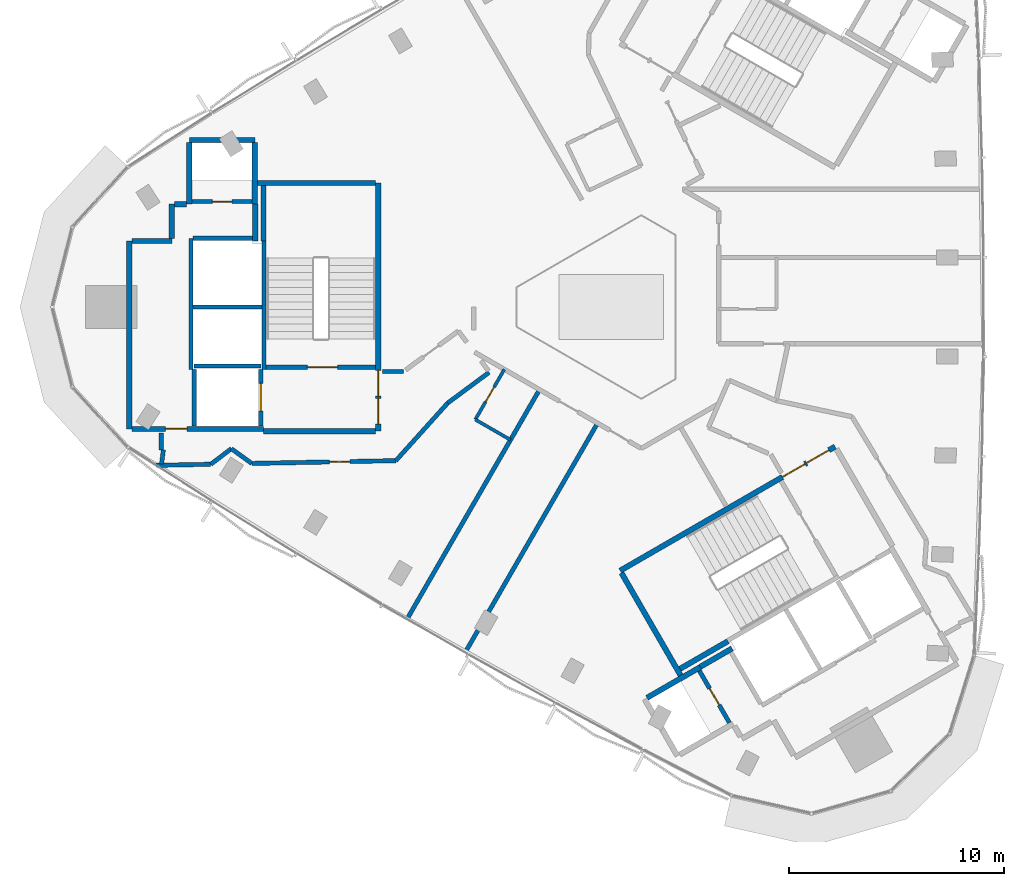
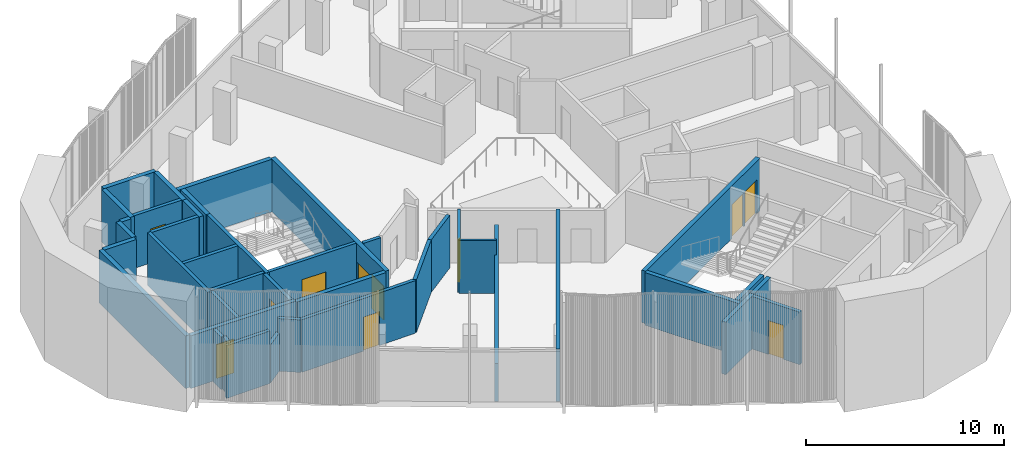
# One storey, part 6 of 12: 41 walls, 11 doors, 11 openings.
"""IFC4 building model written with IfcOpenShell, lengths in metres."""

import ifcopenshell
import ifcopenshell.guid

model = None  # the IFC model being written
_history = None  # IfcOwnerHistory: only IFC2X3 demands one
_inside = {}  # id of a spatial element -> (the spatial element, [elements in it])
_under = {}  # id of a project, library or spatial element -> (it, [spatial elements below it])
_declared = {}  # id of a project -> (the project, [libraries it declares])
_typed = {}  # id of a type object -> (the type object, [elements of that type])
_made_of = {}  # id of a material, layer set ... -> (it, [elements and type objects made of it])


def new_model(schema):
    """Start an empty IFC model of exactly this schema.

    Asked for "IFC4X3", IfcOpenShell would pick the latest addendum, in which some entities
    have other attributes; the version numbers below select the first issue.
    IFC2X3 requires an IfcOwnerHistory on every rooted entity: one is made here for all.
    """
    global model, _history
    if schema == "IFC4X3":
        model = ifcopenshell.file(schema_version=(4, 3, 0, 0))
    else:
        model = ifcopenshell.file(schema=schema)
    _inside.clear()
    _under.clear()
    _declared.clear()
    _typed.clear()
    _made_of.clear()
    _history = None
    if model.schema == "IFC2X3":
        org = make("IfcOrganization", Name="unknown")
        user = make(
            "IfcPersonAndOrganization",
            ThePerson=make("IfcPerson", FamilyName="unknown"),
            TheOrganization=org,
        )
        app = make(
            "IfcApplication",
            ApplicationDeveloper=org,
            Version="unknown",
            ApplicationFullName="unknown",
            ApplicationIdentifier="unknown",
        )
        _history = make(
            "IfcOwnerHistory",
            OwningUser=user,
            OwningApplication=app,
            ChangeAction="ADDED",
            CreationDate=0,
        )
    return model


def make(cls, **values):
    """One entity of the class cls with the attributes given. An attribute that is None is left unset."""
    return model.create_entity(
        cls, **{name: value for name, value in values.items() if value is not None}
    )


def rooted(cls, **values):
    """An entity with a GlobalId (a new one), such as an element, a storey or a relation."""
    return make(cls, GlobalId=ifcopenshell.guid.new(), OwnerHistory=_history, **values)


def si_unit(unit_type, name, prefix=None):
    """IfcSIUnit, for example si_unit("LENGTHUNIT", "METRE", prefix="MILLI")."""
    return make("IfcSIUnit", UnitType=unit_type, Prefix=prefix, Name=name)


def assignment(units):
    """IfcUnitAssignment: the units of a project."""
    return None if units is None else make("IfcUnitAssignment", Units=units)


def point(xyz):
    """IfcCartesianPoint."""
    return None if xyz is None else make("IfcCartesianPoint", Coordinates=xyz)


def direction(xyz):
    """IfcDirection."""
    return None if xyz is None else make("IfcDirection", DirectionRatios=xyz)


def frame(location, z_axis=None, x_axis=None):
    """IfcAxis2Placement3D, a coordinate frame: its origin and axes. An axis left out is left unset."""
    return make(
        "IfcAxis2Placement3D",
        Location=point(location),
        Axis=direction(z_axis),
        RefDirection=direction(x_axis),
    )


def frame_2d(location, x_axis=None):
    """IfcAxis2Placement2D, a coordinate frame in the plane: its origin and x axis."""
    return make(
        "IfcAxis2Placement2D", Location=point(location), RefDirection=direction(x_axis)
    )


def origin():
    """The frame at (0, 0, 0) with its axes left unset."""
    return frame((0.0, 0.0, 0.0))


def place(relative_to, where):
    """IfcLocalPlacement: puts the frame where relative to a parent placement (None: the world)."""
    return make(
        "IfcLocalPlacement", PlacementRelTo=relative_to, RelativePlacement=where
    )


def context(
    kind, dimensions, precision=None, world=None, true_north=None, identifier=None
):
    """IfcGeometricRepresentationContext, for example the 3D "Model" context."""
    return make(
        "IfcGeometricRepresentationContext",
        ContextIdentifier=identifier,
        ContextType=kind,
        CoordinateSpaceDimension=dimensions,
        Precision=precision,
        WorldCoordinateSystem=world,
        TrueNorth=true_north,
    )


def subcontext(parent, identifier, kind, view, scale=None):
    """IfcGeometricRepresentationSubContext, for example "Body" below "Model"."""
    return make(
        "IfcGeometricRepresentationSubContext",
        ContextIdentifier=identifier,
        ContextType=kind,
        ParentContext=parent,
        TargetScale=scale,
        TargetView=view,
    )


def project(units=None, contexts=None):
    """IfcProject with its units and contexts."""
    return rooted(
        "IfcProject",
        Name="project",
        RepresentationContexts=contexts,
        UnitsInContext=assignment(units),
    )


def spatial(cls, under=None, at=None, **own):
    """A site, building, storey or space (cls), placed at a placement, below another one or the project."""
    s = rooted(cls, ObjectPlacement=at, **own)
    if under is not None:
        _under.setdefault(under.id(), (under, []))[1].append(s)
    return s


def profile(cls, at=None, kind="AREA", **sizes):
    """A parametric profile (cls). Its sizes go by their IFC names, for example OverallWidth=200.0."""
    return make(cls, ProfileType=kind, Position=at, **sizes)


def rectangle(**sizes):
    """IfcRectangleProfileDef."""
    return profile("IfcRectangleProfileDef", **sizes)


def extrude(swept, where, along, depth):
    """IfcExtrudedAreaSolid: the profile swept, set in the frame where, extruded along a direction by depth."""
    return make(
        "IfcExtrudedAreaSolid",
        SweptArea=swept,
        Position=where,
        ExtrudedDirection=direction(along),
        Depth=depth,
    )


def shape(context_of_items, identifier, shape_type, items):
    """IfcShapeRepresentation: the items that make up one representation, for example the "Body"."""
    return make(
        "IfcShapeRepresentation",
        ContextOfItems=context_of_items,
        RepresentationIdentifier=identifier,
        RepresentationType=shape_type,
        Items=items,
    )


def material(Name=None, Category=None):
    """IfcMaterial."""
    return make("IfcMaterial", Name=Name, Category=Category)


def layer(
    of_material, thickness, ventilated=None, Name=None, Category=None, Priority=None
):
    """IfcMaterialLayer: one layer of a wall or slab, of a material (None: an air gap)."""
    return make(
        "IfcMaterialLayer",
        Material=of_material,
        LayerThickness=thickness,
        IsVentilated=ventilated,
        Name=Name,
        Category=Category,
        Priority=Priority,
    )


def layer_set(layers, Name=None):
    """IfcMaterialLayerSet."""
    return make("IfcMaterialLayerSet", MaterialLayers=layers, LayerSetName=Name)


def made_of(thing, what):
    """Note that an element or type object is made of a material, layer set ...; save() writes the relation."""
    if what is not None:
        _made_of.setdefault(what.id(), (what, []))[1].append(thing)
    return thing


def type_object(cls, material=None, **own):
    """A type object (cls), such as IfcWallType, which elements share."""
    return made_of(rooted(cls, **own), material)


def element(
    cls,
    number,
    at=None,
    inside=None,
    cuts=None,
    type_object=None,
    material=None,
    context=None,
    identifier="Body",
    shape_type=None,
    held_by="IfcProductDefinitionShape",
    body=None,
    shapes=None,
    **own,
):
    """One element of the class cls, such as IfcWall. Its Tag is "e" and its number.

    at: its placement. inside: the storey or other place that contains it. cuts: it is an
    opening in that element (IfcRelVoidsElement). A single representation is given by context,
    identifier, shape_type and body (its items); several are given by shapes. held_by: the class
    of the entity that holds the representations. save() writes the other relations.
    """
    e = rooted(cls, Tag="e%d" % number, ObjectPlacement=at, **own)
    if body is not None:
        shapes = [shape(context, identifier, shape_type, body)]
    if shapes is not None:
        e.Representation = make(held_by, Representations=shapes)
    if inside is not None:
        _inside.setdefault(inside.id(), (inside, []))[1].append(e)
    if cuts is not None:
        rooted(
            "IfcRelVoidsElement", RelatingBuildingElement=cuts, RelatedOpeningElement=e
        )
    if type_object is not None:
        _typed.setdefault(type_object.id(), (type_object, []))[1].append(e)
    return made_of(e, material)


def fill(opening, filler):
    """IfcRelFillsElement: the door or window that sits in an opening."""
    return rooted(
        "IfcRelFillsElement",
        RelatingOpeningElement=opening,
        RelatedBuildingElement=filler,
    )


def aggregate(whole, parts):
    """IfcRelAggregates: a whole, such as a stair, and the parts it consists of."""
    return rooted("IfcRelAggregates", RelatingObject=whole, RelatedObjects=parts)


def save(model, path):
    """Write the relations noted so far, then the file.

    IfcRelAggregates (storeys below a building ...), IfcRelContainedInSpatialStructure (elements
    in a storey), IfcRelDefinesByType, IfcRelAssociatesMaterial and IfcRelDeclares: one each for
    every whole, place, type object, material and project.
    """
    for whole, parts in _under.values():
        aggregate(whole, parts)
    for where, things in _inside.values():
        rooted(
            "IfcRelContainedInSpatialStructure",
            RelatedElements=things,
            RelatingStructure=where,
        )
    for kind, things in _typed.values():
        rooted("IfcRelDefinesByType", RelatedObjects=things, RelatingType=kind)
    for what, things in _made_of.values():
        rooted("IfcRelAssociatesMaterial", RelatedObjects=things, RelatingMaterial=what)
    for by, libraries in _declared.values():
        rooted("IfcRelDeclares", RelatingContext=by, RelatedDefinitions=libraries)
    model.write(path)


model = new_model("IFC4")

# Units and contexts
model_context = context("Model", 3, precision=1e-05, world=origin(), true_north=direction((0.0, 1.0)))
body_context = subcontext(model_context, "Body", "Model", "MODEL_VIEW")
ifc_project = project(units=[si_unit("LENGTHUNIT", "METRE"), si_unit("AREAUNIT", "SQUARE_METRE"), si_unit("VOLUMEUNIT", "CUBIC_METRE"), si_unit("PLANEANGLEUNIT", "RADIAN"), si_unit("MASSUNIT", "GRAM", prefix="KILO")], contexts=[model_context])

# Site, building, storey
site_placement = place(None, origin())
site = spatial("IfcSite", under=ifc_project, at=site_placement, CompositionType="ELEMENT")
building_placement = place(site_placement, origin())
building = spatial("IfcBuilding", under=site, at=building_placement, Name="Tamra Quay Hotel Tower", CompositionType="ELEMENT")
storey_placement = place(building_placement, frame((0.0, 0.0, 262.199951171875)))
storey = spatial("IfcBuildingStorey", under=building, at=storey_placement, Name="L66", CompositionType="ELEMENT", Elevation=262.199951171875)

# Walls
ifc_material_1 = material(Name="Concrete M70", Category="concrete")
ifc_layer_1 = layer(ifc_material_1, 0.199951171875)
ifc_layer_set_1 = layer_set([ifc_layer_1], Name="Concrete M70 core wall 200")
wall_type_1 = type_object("IfcWallType", Name="Concrete M70 core wall 200", PredefinedType="SHEAR", material=ifc_layer_set_1)
wall_1_placement = place(storey_placement, frame((-16.162109375, 3.073974609375, 0.0), z_axis=(0.0, 0.0, 1.0), x_axis=(0.0, -1.0, 0.0)))
element("IfcWall", 1, at=wall_1_placement, inside=storey, type_object=wall_type_1, Name="CW2", PredefinedType="SHEAR", context=body_context, shape_type="SweptSolid", body=[
    extrude(rectangle(XDim=5.97412109375, YDim=0.199951171875, at=frame_2d((2.987060546875, 0.0))), origin(), (0.0, 0.0, 1.0), 3.25),
])
wall_2_placement = place(storey_placement, frame((-19.5625, -2.900146484375, 0.0), z_axis=(0.0, 0.0, 1.0), x_axis=(0.0, 1.0, 0.0)))
element("IfcWall", 2, at=wall_2_placement, inside=storey, type_object=wall_type_1, Name="CW2", PredefinedType="SHEAR", context=body_context, shape_type="SweptSolid", body=[
    extrude(rectangle(XDim=6.100341796875, YDim=0.199951171875, at=frame_2d((3.05029296875, 0.0))), origin(), (0.0, 0.0, 1.0), 3.25),
])

# Wall, opening, door
wall_3_placement = place(storey_placement, frame((-10.96337890625, -2.800048828125, 0.0), z_axis=(0.0, 0.0, 1.0), x_axis=(-1.0, 0.0, 0.0)))
wall_3 = element("IfcWall", 3, at=wall_3_placement, inside=storey, type_object=wall_type_1, Name="CW2", PredefinedType="SHEAR", context=body_context, shape_type="SweptSolid", body=[
    extrude(rectangle(XDim=5.097900390625, YDim=0.199951171875, at=frame_2d((2.548828125, 0.0))), origin(), (0.0, 0.0, 1.0), 3.25),
])
opening_1_placement = place(wall_3_placement, frame((1.77392578125, 0.0, 0.0)))
opening_1 = element("IfcOpeningElement", 4, at=opening_1_placement, cuts=wall_3, Name="Opening FD2", PredefinedType="OPENING", context=body_context, shape_type="SweptSolid", body=[
    extrude(rectangle(XDim=1.39990234375, YDim=2.10009765625, at=frame_2d((0.699951171875, 1.050048828125))), frame((0.0, 0.10986328125, 0.0), z_axis=(0.0, -1.0, 0.0), x_axis=(1.0, 0.0, 0.0)), (0.0, 0.0, 1.0), 0.219970703125),
])
ifc_material_2 = material(Name="Core door FD2 1400x2100 LH")
door_type_1 = type_object("IfcDoorType", Name="Core door FD2 1400x2100 LH", OperationType="NOTDEFINED", PredefinedType="DOOR", material=ifc_material_2)
door_1_placement = place(opening_1_placement, origin())
door_1 = element("IfcDoor", 5, at=door_1_placement, inside=storey, type_object=door_type_1, Name="FD2", OperationType="SINGLE_SWING_LEFT", OverallHeight=2.10009765625, OverallWidth=1.39990234375, PredefinedType="DOOR", context=body_context, shape_type="SweptSolid", body=[
    extrude(rectangle(XDim=1.39990234375, YDim=2.10009765625, at=frame_2d((0.699951171875, 1.050048828125))), frame((0.0, 0.02490234375, 0.0), z_axis=(0.0, -1.0, 0.0), x_axis=(1.0, 0.0, 0.0)), (0.0, 0.0, 1.0), 0.050048828125),
])
fill(opening_1, door_1)

# Wall
wall_4_placement = place(storey_placement, frame((-16.26318359375, 0.0, 0.0), z_axis=(0.0, 0.0, 1.0), x_axis=(-1.0, 0.0, 0.0)))
element("IfcWall", 6, at=wall_4_placement, inside=storey, type_object=wall_type_1, Name="CW2", PredefinedType="SHEAR", context=body_context, shape_type="SweptSolid", body=[
    extrude(rectangle(XDim=3.1982421875, YDim=0.199951171875, at=frame_2d((1.59912109375, 0.0))), origin(), (0.0, 0.0, 1.0), 3.25),
])

# Wall, opening, door
wall_5_placement = place(storey_placement, frame((-19.51123046875, 4.91015625, 0.0), z_axis=(0.0, 0.0, 1.0), x_axis=(1.0, 0.0, 0.0)))
wall_5 = element("IfcWall", 7, at=wall_5_placement, inside=storey, type_object=wall_type_1, Name="CW2", PredefinedType="SHEAR", context=body_context, shape_type="SweptSolid", body=[
    extrude(rectangle(XDim=2.7978515625, YDim=0.199951171875, at=frame_2d((1.39892578125, 0.0))), origin(), (0.0, 0.0, 1.0), 3.25),
])
opening_2_placement = place(wall_5_placement, frame((0.948974609375, 0.0, 0.0)))
opening_2 = element("IfcOpeningElement", 8, at=opening_2_placement, cuts=wall_5, Name="Opening D1", PredefinedType="OPENING", context=body_context, shape_type="SweptSolid", body=[
    extrude(rectangle(XDim=0.89990234375, YDim=2.10009765625, at=frame_2d((0.449951171875, 1.050048828125))), frame((0.0, 0.10986328125, 0.0), z_axis=(0.0, -1.0, 0.0), x_axis=(1.0, 0.0, 0.0)), (0.0, 0.0, 1.0), 0.219970703125),
])
ifc_material_3 = material(Name="Core door D1 900x2100 RH")
door_type_2 = type_object("IfcDoorType", Name="Core door D1 900x2100 RH", OperationType="NOTDEFINED", PredefinedType="DOOR", material=ifc_material_3)
door_2_placement = place(opening_2_placement, origin())
door_2 = element("IfcDoor", 9, at=door_2_placement, inside=storey, type_object=door_type_2, Name="D1", OperationType="SINGLE_SWING_RIGHT", OverallHeight=2.10009765625, OverallWidth=0.89990234375, PredefinedType="DOOR", context=body_context, shape_type="SweptSolid", body=[
    extrude(rectangle(XDim=0.89990234375, YDim=2.10009765625, at=frame_2d((0.449951171875, 1.050048828125))), frame((0.0, 0.02490234375, 0.0), z_axis=(0.0, -1.0, 0.0), x_axis=(1.0, 0.0, 0.0)), (0.0, 0.0, 1.0), 0.050048828125),
])
fill(opening_2, door_2)

# Walls
wall_6_placement = place(storey_placement, frame((-19.46240234375, 3.2001953125, 0.0), z_axis=(0.0, 0.0, 1.0), x_axis=(1.0, 0.0, 0.0)))
element("IfcWall", 10, at=wall_6_placement, inside=storey, type_object=wall_type_1, Name="CW2", PredefinedType="SHEAR", context=body_context, shape_type="SweptSolid", body=[
    extrude(rectangle(XDim=2.759033203125, YDim=0.199951171875, at=frame_2d((1.37939453125, 0.0))), origin(), (0.0, 0.0, 1.0), 3.25),
])
wall_7_placement = place(storey_placement, frame((-19.412353515625, -2.75, 0.0), z_axis=(0.0, 0.0, 1.0), x_axis=(1.0, 0.0, 0.0)))
element("IfcWall", 11, at=wall_7_placement, inside=storey, type_object=wall_type_1, Name="CW2", PredefinedType="SHEAR", context=body_context, shape_type="SweptSolid", body=[
    extrude(rectangle(XDim=3.10009765625, YDim=0.199951171875, at=frame_2d((1.550048828125, 0.0))), origin(), (0.0, 0.0, 1.0), 3.25),
])

# Wall, opening, door
wall_8_placement = place(storey_placement, frame((-16.312255859375, -2.898193359375, 0.0), z_axis=(0.0, 0.0, 1.0), x_axis=(0.0, -1.0, 0.0)))
wall_8 = element("IfcWall", 12, at=wall_8_placement, inside=storey, type_object=wall_type_1, Name="CW2", PredefinedType="SHEAR", context=body_context, shape_type="SweptSolid", body=[
    extrude(rectangle(XDim=2.65087890625, YDim=0.199951171875, at=frame_2d((1.325439453125, 0.0))), origin(), (0.0, 0.0, 1.0), 3.25),
])
opening_3_placement = place(wall_8_placement, frame((0.65185546875, 0.0, 0.0)))
opening_3 = element("IfcOpeningElement", 13, at=opening_3_placement, cuts=wall_8, Name="Opening LD", PredefinedType="OPENING", context=body_context, shape_type="SweptSolid", body=[
    extrude(rectangle(XDim=1.300048828125, YDim=2.10009765625, at=frame_2d((0.64990234375, 1.050048828125))), frame((0.0, 0.10986328125, 0.0), z_axis=(0.0, -1.0, 0.0), x_axis=(1.0, 0.0, 0.0)), (0.0, 0.0, 1.0), 0.219970703125),
])
ifc_material_4 = material(Name="Landing door LD 1300 sliding to left")
door_type_3 = type_object("IfcDoorType", Name="Landing door LD 1300 sliding to left", OperationType="NOTDEFINED", PredefinedType="DOOR", material=ifc_material_4)
door_3_placement = place(opening_3_placement, origin())
door_3 = element("IfcDoor", 14, at=door_3_placement, inside=storey, type_object=door_type_3, Name="LD", OperationType="SLIDING_TO_LEFT", OverallHeight=2.10009765625, OverallWidth=1.300048828125, PredefinedType="DOOR", context=body_context, shape_type="SweptSolid", body=[
    extrude(rectangle(XDim=1.300048828125, YDim=2.10009765625, at=frame_2d((0.64990234375, 1.050048828125))), frame((0.0, 0.02490234375, 0.0), z_axis=(0.0, -1.0, 0.0), x_axis=(1.0, 0.0, 0.0)), (0.0, 0.0, 1.0), 0.050048828125),
])
fill(opening_3, door_3)

# Wall
wall_9_placement = place(storey_placement, frame((-19.412353515625, -5.549072265625, 0.0), z_axis=(0.0, 0.0, 1.0), x_axis=(0.0, 1.0, 0.0)))
element("IfcWall", 15, at=wall_9_placement, inside=storey, type_object=wall_type_1, Name="CW2", PredefinedType="SHEAR", context=body_context, shape_type="SweptSolid", body=[
    extrude(rectangle(XDim=2.65087890625, YDim=0.199951171875, at=frame_2d((1.325439453125, 0.0))), origin(), (0.0, 0.0, 1.0), 3.25),
])

# Wall, opening, door
wall_10_placement = place(storey_placement, frame((5.50341796875, -19.352294921875, 0.0), z_axis=(0.0, 0.0, 1.0), x_axis=(-0.499986818241, 0.866033014143, 0.0)))
wall_10 = element("IfcWall", 16, at=wall_10_placement, inside=storey, type_object=wall_type_1, Name="CW2", PredefinedType="SHEAR", context=body_context, shape_type="SweptSolid", body=[
    extrude(rectangle(XDim=2.7978515625, YDim=0.199951171875, at=frame_2d((1.39892578125, 0.0))), origin(), (0.0, 0.0, 1.0), 3.25),
])
opening_4_placement = place(wall_10_placement, frame((0.948974609375, 0.0, 0.0)))
opening_4 = element("IfcOpeningElement", 17, at=opening_4_placement, cuts=wall_10, Name="Opening D1", PredefinedType="OPENING", context=body_context, shape_type="SweptSolid", body=[
    extrude(rectangle(XDim=0.89990234375, YDim=2.10009765625, at=frame_2d((0.449951171875, 1.050048828125))), frame((0.0, 0.10986328125, 0.0), z_axis=(0.0, -1.0, 0.0), x_axis=(1.0, 0.0, 0.0)), (0.0, 0.0, 1.0), 0.219970703125),
])
ifc_material_5 = material(Name="Core door D1 900x2100 LH")
door_type_4 = type_object("IfcDoorType", Name="Core door D1 900x2100 LH", OperationType="NOTDEFINED", PredefinedType="DOOR", material=ifc_material_5)
door_4_placement = place(opening_4_placement, origin())
door_4 = element("IfcDoor", 18, at=door_4_placement, inside=storey, type_object=door_type_4, Name="D1", OperationType="SINGLE_SWING_LEFT", OverallHeight=2.10009765625, OverallWidth=0.89990234375, PredefinedType="DOOR", context=body_context, shape_type="SweptSolid", body=[
    extrude(rectangle(XDim=0.89990234375, YDim=2.10009765625, at=frame_2d((0.449951171875, 1.050048828125))), frame((0.0, 0.02490234375, 0.0), z_axis=(0.0, -1.0, 0.0), x_axis=(1.0, 0.0, 0.0)), (0.0, 0.0, 1.0), 0.050048828125),
])
fill(opening_4, door_4)

# Wall, openings, doors
ifc_layer_2 = layer(ifc_material_1, 0.25)
ifc_layer_set_2 = layer_set([ifc_layer_2], Name="Concrete M70 core wall 250")
wall_type_2 = type_object("IfcWallType", Name="Concrete M70 core wall 250", PredefinedType="SHEAR", material=ifc_layer_set_2)
wall_11_placement = place(storey_placement, frame((-10.83740234375, 5.77490234375, 0.0), z_axis=(0.0, 0.0, 1.0), x_axis=(0.0, -1.0, 0.0)))
wall_11 = element("IfcWall", 19, at=wall_11_placement, inside=storey, type_object=wall_type_2, Name="CW1", PredefinedType="SHEAR", context=body_context, shape_type="SweptSolid", body=[
    extrude(rectangle(XDim=11.5498046875, YDim=0.25, at=frame_2d((5.77490234375, 0.0))), origin(), (0.0, 0.0, 1.0), 3.25),
])
opening_5_placement = place(wall_11_placement, frame((10.02490234375, 0.0, 0.0)))
opening_5 = element("IfcOpeningElement", 20, at=opening_5_placement, cuts=wall_11, Name="Opening FD1", PredefinedType="OPENING", context=body_context, shape_type="SweptSolid", body=[
    extrude(rectangle(XDim=1.199951171875, YDim=2.10009765625, at=frame_2d((0.60009765625, 1.050048828125))), frame((0.0, 0.135009765625, 0.0), z_axis=(0.0, -1.0, 0.0), x_axis=(1.0, 0.0, 0.0)), (0.0, 0.0, 1.0), 0.27001953125),
])
opening_6_placement = place(wall_11_placement, frame((8.72509765625, 0.0, 0.0)))
opening_6 = element("IfcOpeningElement", 21, at=opening_6_placement, cuts=wall_11, Name="Opening FD1", PredefinedType="OPENING", context=body_context, shape_type="SweptSolid", body=[
    extrude(rectangle(XDim=1.199951171875, YDim=2.10009765625, at=frame_2d((0.60009765625, 1.050048828125))), frame((0.0, 0.135009765625, 0.0), z_axis=(0.0, -1.0, 0.0), x_axis=(1.0, 0.0, 0.0)), (0.0, 0.0, 1.0), 0.27001953125),
])
ifc_material_6 = material(Name="Core door FD1 1200x2100 LH")
door_type_5 = type_object("IfcDoorType", Name="Core door FD1 1200x2100 LH", OperationType="NOTDEFINED", PredefinedType="DOOR", material=ifc_material_6)
door_5_placement = place(opening_5_placement, origin())
door_5 = element("IfcDoor", 22, at=door_5_placement, inside=storey, type_object=door_type_5, Name="FD1", OperationType="SINGLE_SWING_LEFT", OverallHeight=2.10009765625, OverallWidth=1.199951171875, PredefinedType="DOOR", context=body_context, shape_type="SweptSolid", body=[
    extrude(rectangle(XDim=1.199951171875, YDim=2.10009765625, at=frame_2d((0.60009765625, 1.050048828125))), frame((0.0, 0.02490234375, 0.0), z_axis=(0.0, -1.0, 0.0), x_axis=(1.0, 0.0, 0.0)), (0.0, 0.0, 1.0), 0.050048828125),
])
fill(opening_5, door_5)
ifc_material_7 = material(Name="Core door FD1 1200x2100 RH")
door_type_6 = type_object("IfcDoorType", Name="Core door FD1 1200x2100 RH", OperationType="NOTDEFINED", PredefinedType="DOOR", material=ifc_material_7)
door_6_placement = place(opening_6_placement, origin())
door_6 = element("IfcDoor", 23, at=door_6_placement, inside=storey, type_object=door_type_6, Name="FD1", OperationType="SINGLE_SWING_RIGHT", OverallHeight=2.10009765625, OverallWidth=1.199951171875, PredefinedType="DOOR", context=body_context, shape_type="SweptSolid", body=[
    extrude(rectangle(XDim=1.199951171875, YDim=2.10009765625, at=frame_2d((0.60009765625, 1.050048828125))), frame((0.0, 0.02490234375, 0.0), z_axis=(0.0, -1.0, 0.0), x_axis=(1.0, 0.0, 0.0)), (0.0, 0.0, 1.0), 0.050048828125),
])
fill(opening_6, door_6)

# Wall
wall_12_placement = place(storey_placement, frame((-22.437255859375, -5.675048828125, 0.0), z_axis=(0.0, 0.0, 1.0), x_axis=(0.0, 1.0, 0.0)))
element("IfcWall", 24, at=wall_12_placement, inside=storey, type_object=wall_type_2, Name="CW1", PredefinedType="SHEAR", context=body_context, shape_type="SweptSolid", body=[
    extrude(rectangle(XDim=8.75, YDim=0.25, at=frame_2d((4.375, 0.0))), origin(), (0.0, 0.0, 1.0), 3.25),
])

# Wall, opening, door
wall_13_placement = place(storey_placement, frame((-16.187255859375, -5.675048828125, 0.0), z_axis=(0.0, 0.0, 1.0), x_axis=(-1.0, 0.0, 0.0)))
wall_13 = element("IfcWall", 25, at=wall_13_placement, inside=storey, type_object=wall_type_2, Name="CW1", PredefinedType="SHEAR", context=body_context, shape_type="SweptSolid", body=[
    extrude(rectangle(XDim=6.12451171875, YDim=0.25, at=frame_2d((3.062255859375, 0.0))), origin(), (0.0, 0.0, 1.0), 3.25),
])
opening_7_placement = place(wall_13_placement, frame((3.562744140625, 0.0, 0.0)))
opening_7 = element("IfcOpeningElement", 26, at=opening_7_placement, cuts=wall_13, Name="Opening FD3", PredefinedType="OPENING", context=body_context, shape_type="SweptSolid", body=[
    extrude(rectangle(XDim=1.0, YDim=2.10009765625, at=frame_2d((0.5, 1.050048828125))), frame((0.0, 0.135009765625, 0.0), z_axis=(0.0, -1.0, 0.0), x_axis=(1.0, 0.0, 0.0)), (0.0, 0.0, 1.0), 0.27001953125),
])
ifc_material_8 = material(Name="Core door FD3 1000x2100 LH")
door_type_7 = type_object("IfcDoorType", Name="Core door FD3 1000x2100 LH", OperationType="NOTDEFINED", PredefinedType="DOOR", material=ifc_material_8)
door_7_placement = place(opening_7_placement, origin())
door_7 = element("IfcDoor", 27, at=door_7_placement, inside=storey, type_object=door_type_7, Name="FD3", OperationType="SINGLE_SWING_LEFT", OverallHeight=2.10009765625, OverallWidth=1.0, PredefinedType="DOOR", context=body_context, shape_type="SweptSolid", body=[
    extrude(rectangle(XDim=1.0, YDim=2.10009765625, at=frame_2d((0.5, 1.050048828125))), frame((0.0, 0.02490234375, 0.0), z_axis=(0.0, -1.0, 0.0), x_axis=(1.0, 0.0, 0.0)), (0.0, 0.0, 1.0), 0.050048828125),
])
fill(opening_7, door_7)

# Walls
wall_14_placement = place(storey_placement, frame((-10.962646484375, -5.77490234375, 0.0), z_axis=(0.0, 0.0, 1.0), x_axis=(-1.0, 0.0, 0.0)))
element("IfcWall", 28, at=wall_14_placement, inside=storey, type_object=wall_type_2, Name="CW1", PredefinedType="SHEAR", context=body_context, shape_type="SweptSolid", body=[
    extrude(rectangle(XDim=5.224609375, YDim=0.25, at=frame_2d((2.6123046875, 0.0))), origin(), (0.0, 0.0, 1.0), 3.25),
])
wall_15_placement = place(storey_placement, frame((-16.47216796875, 5.77490234375, 0.0), z_axis=(0.0, 0.0, 1.0), x_axis=(1.0, 0.0, 0.0)))
element("IfcWall", 29, at=wall_15_placement, inside=storey, type_object=wall_type_2, Name="CW1", PredefinedType="SHEAR", context=body_context, shape_type="SweptSolid", body=[
    extrude(rectangle(XDim=5.509521484375, YDim=0.25, at=frame_2d((2.7548828125, 0.0))), origin(), (0.0, 0.0, 1.0), 3.25),
])
wall_16_placement = place(storey_placement, frame((-19.63720703125, 7.77490234375, 0.0), z_axis=(0.0, 0.0, 1.0), x_axis=(1.0, 0.0, 0.0)))
element("IfcWall", 30, at=wall_16_placement, inside=storey, type_object=wall_type_2, Name="CW1", PredefinedType="SHEAR", context=body_context, shape_type="SweptSolid", body=[
    extrude(rectangle(XDim=3.0498046875, YDim=0.25, at=frame_2d((1.52490234375, 0.0))), origin(), (0.0, 0.0, 1.0), 3.25),
])
for number, where, z_axis, x_axis, name in (
    (31, (-16.58740234375, 7.649658203125, 0.0), (0.0, 0.0, 1.0), (0.0, -1.0, 0.0), "CW1"),
    (32, (-19.63720703125, 4.784912109375, 0.0), (0.0, 0.0, 1.0), (0.0, 1.0, 0.0), "CW1"),
):
    element("IfcWall", number, at=place(storey_placement, frame(where, z_axis=z_axis, x_axis=x_axis)), inside=storey, type_object=wall_type_2, Name=name, PredefinedType="SHEAR", context=body_context, shape_type="SweptSolid", body=[
        extrude(rectangle(XDim=2.86474609375, YDim=0.25, at=frame_2d((1.432373046875, 0.0))), origin(), (0.0, 0.0, 1.0), 3.25),
    ])
wall_17_placement = place(storey_placement, frame((-16.187255859375, 3.074951171875, 0.0), z_axis=(0.0, 0.0, 1.0), x_axis=(0.0, 1.0, 0.0)))
element("IfcWall", 33, at=wall_17_placement, inside=storey, type_object=wall_type_2, Name="CW1", PredefinedType="SHEAR", context=body_context, shape_type="SweptSolid", body=[
    extrude(rectangle(XDim=2.57470703125, YDim=0.25, at=frame_2d((1.287353515625, 0.0))), origin(), (0.0, 0.0, 1.0), 3.25),
])
wall_18_placement = place(storey_placement, frame((-22.311767578125, 3.074951171875, 0.0), z_axis=(0.0, 0.0, 1.0), x_axis=(1.0, 0.0, 0.0)))
element("IfcWall", 34, at=wall_18_placement, inside=storey, type_object=wall_type_2, Name="CW1", PredefinedType="SHEAR", context=body_context, shape_type="SweptSolid", body=[
    extrude(rectangle(XDim=1.864501953125, YDim=0.25, at=frame_2d((0.93212890625, 0.0))), origin(), (0.0, 0.0, 1.0), 3.25),
])
wall_19_placement = place(storey_placement, frame((-16.577392578125, 4.784912109375, 0.0), z_axis=(0.0, 0.0, 1.0), x_axis=(0.0, -1.0, 0.0)))
element("IfcWall", 35, at=wall_19_placement, inside=storey, type_object=wall_type_2, Name="CW1", PredefinedType="SHEAR", context=body_context, shape_type="SweptSolid", body=[
    extrude(rectangle(XDim=1.7099609375, YDim=0.25, at=frame_2d((0.85498046875, 0.0))), origin(), (0.0, 0.0, 1.0), 3.25),
])
wall_20_placement = place(storey_placement, frame((-20.447265625, 3.200439453125, 0.0), z_axis=(0.0, 0.0, 1.0), x_axis=(0.0, 1.0, 0.0)))
element("IfcWall", 36, at=wall_20_placement, inside=storey, type_object=wall_type_2, Name="CW1", PredefinedType="SHEAR", context=body_context, shape_type="SweptSolid", body=[
    extrude(rectangle(XDim=1.58447265625, YDim=0.25, at=frame_2d((0.792236328125, 0.0))), origin(), (0.0, 0.0, 1.0), 3.25),
])
wall_21_placement = place(storey_placement, frame((-20.32177734375, 4.784912109375, 0.0), z_axis=(0.0, 0.0, 1.0), x_axis=(1.0, 0.0, 0.0)))
element("IfcWall", 37, at=wall_21_placement, inside=storey, type_object=wall_type_2, Name="CW1", PredefinedType="SHEAR", context=body_context, shape_type="SweptSolid", body=[
    extrude(rectangle(XDim=0.55908203125, YDim=0.25, at=frame_2d((0.279541015625, 0.0))), origin(), (0.0, 0.0, 1.0), 3.25),
])

# Wall, openings, doors
wall_22_placement = place(storey_placement, frame((0.417236328125, -12.27294921875, 0.0), z_axis=(0.0, 0.0, 1.0), x_axis=(0.866021906294, 0.500006057782, 0.0)))
wall_22 = element("IfcWall", 38, at=wall_22_placement, inside=storey, type_object=wall_type_2, Name="CW1", PredefinedType="SHEAR", context=body_context, shape_type="SweptSolid", body=[
    extrude(rectangle(XDim=11.550048828125, YDim=0.25, at=frame_2d((5.77490234375, 0.0))), origin(), (0.0, 0.0, 1.0), 3.25),
])
opening_8_placement = place(wall_22_placement, frame((10.024658203125, 0.0, 0.0)))
opening_8 = element("IfcOpeningElement", 39, at=opening_8_placement, cuts=wall_22, Name="Opening FD1", PredefinedType="OPENING", context=body_context, shape_type="SweptSolid", body=[
    extrude(rectangle(XDim=1.199951171875, YDim=2.10009765625, at=frame_2d((0.60009765625, 1.050048828125))), frame((0.0, 0.135009765625, 0.0), z_axis=(0.0, -1.0, 0.0), x_axis=(1.0, 0.0, 0.0)), (0.0, 0.0, 1.0), 0.27001953125),
])
opening_9_placement = place(wall_22_placement, frame((8.724609375, 0.0, 0.0)))
opening_9 = element("IfcOpeningElement", 40, at=opening_9_placement, cuts=wall_22, Name="Opening FD1", PredefinedType="OPENING", context=body_context, shape_type="SweptSolid", body=[
    extrude(rectangle(XDim=1.199951171875, YDim=2.10009765625, at=frame_2d((0.60009765625, 1.050048828125))), frame((0.0, 0.135009765625, 0.0), z_axis=(0.0, -1.0, 0.0), x_axis=(1.0, 0.0, 0.0)), (0.0, 0.0, 1.0), 0.27001953125),
])
door_8_placement = place(opening_8_placement, origin())
door_8 = element("IfcDoor", 41, at=door_8_placement, inside=storey, type_object=door_type_5, Name="FD1", OperationType="SINGLE_SWING_LEFT", OverallHeight=2.10009765625, OverallWidth=1.199951171875, PredefinedType="DOOR", context=body_context, shape_type="SweptSolid", body=[
    extrude(rectangle(XDim=1.199951171875, YDim=2.10009765625, at=frame_2d((0.60009765625, 1.050048828125))), frame((0.0, 0.02490234375, 0.0), z_axis=(0.0, -1.0, 0.0), x_axis=(1.0, 0.0, 0.0)), (0.0, 0.0, 1.0), 0.050048828125),
])
fill(opening_8, door_8)
door_9_placement = place(opening_9_placement, origin())
door_9 = element("IfcDoor", 42, at=door_9_placement, inside=storey, type_object=door_type_6, Name="FD1", OperationType="SINGLE_SWING_RIGHT", OverallHeight=2.10009765625, OverallWidth=1.199951171875, PredefinedType="DOOR", context=body_context, shape_type="SweptSolid", body=[
    extrude(rectangle(XDim=1.199951171875, YDim=2.10009765625, at=frame_2d((0.60009765625, 1.050048828125))), frame((0.0, 0.02490234375, 0.0), z_axis=(0.0, -1.0, 0.0), x_axis=(1.0, 0.0, 0.0)), (0.0, 0.0, 1.0), 0.050048828125),
])
fill(opening_9, door_9)

# Walls
wall_23_placement = place(storey_placement, frame((3.23486328125, -17.15283203125, 0.0), z_axis=(0.0, 0.0, 1.0), x_axis=(-0.500008851346, 0.866020293397, 0.0)))
element("IfcWall", 43, at=wall_23_placement, inside=storey, type_object=wall_type_2, Name="CW1", PredefinedType="SHEAR", context=body_context, shape_type="SweptSolid", body=[
    extrude(rectangle(XDim=5.509765625, YDim=0.25, at=frame_2d((2.7548828125, 0.0))), origin(), (0.0, 0.0, 1.0), 3.25),
])
wall_24_placement = place(storey_placement, frame((1.6689453125, -18.189697265625, 0.0), z_axis=(0.0, 0.0, 1.0), x_axis=(0.866042235819, 0.499970844928, 0.0)))
element("IfcWall", 44, at=wall_24_placement, inside=storey, type_object=wall_type_2, Name="CW1", PredefinedType="SHEAR", context=body_context, shape_type="SweptSolid", body=[
    extrude(rectangle(XDim=2.864501953125, YDim=0.25, at=frame_2d((1.43212890625, 0.0))), origin(), (0.0, 0.0, 1.0), 3.25),
])
wall_25_placement = place(storey_placement, frame((5.4306640625, -15.55615234375, 0.0), z_axis=(0.0, 0.0, 1.0), x_axis=(-0.866022940537, -0.500004266446, 0.0)))
element("IfcWall", 45, at=wall_25_placement, inside=storey, type_object=wall_type_2, Name="CW1", PredefinedType="SHEAR", context=body_context, shape_type="SweptSolid", body=[
    extrude(rectangle(XDim=2.57470703125, YDim=0.25, at=frame_2d((1.287353515625, 0.0))), origin(), (0.0, 0.0, 1.0), 3.25),
])
wall_26_placement = place(storey_placement, frame((4.144775390625, -16.748779296875, 0.0), z_axis=(0.0, 0.0, 1.0), x_axis=(0.866038183914, 0.499977863513, 0.0)))
element("IfcWall", 46, at=wall_26_placement, inside=storey, type_object=wall_type_2, Name="CW1", PredefinedType="SHEAR", context=body_context, shape_type="SweptSolid", body=[
    extrude(rectangle(XDim=1.7099609375, YDim=0.25, at=frame_2d((0.85498046875, 0.0))), origin(), (0.0, 0.0, 1.0), 3.25),
])
ifc_material_9 = material(Name="Partition corridor wall")
ifc_layer_3 = layer(ifc_material_9, 0.199951171875)
ifc_layer_set_3 = layer_set([ifc_layer_3], Name="Partition corridor wall")
wall_type_3 = type_object("IfcWallType", Name="Partition corridor wall", PredefinedType="PARTITIONING", material=ifc_layer_set_3)
wall_27_placement = place(storey_placement, frame((-20.949951171875, -6.64990234375, 0.0), z_axis=(0.0, 0.0, 1.0), x_axis=(0.0, 1.0, 0.0)))
element("IfcWall", 47, at=wall_27_placement, inside=storey, type_object=wall_type_3, Name="W-C", PredefinedType="PARTITIONING", context=body_context, shape_type="SweptSolid", body=[
    extrude(rectangle(XDim=0.789794921875, YDim=0.199951171875, at=frame_2d((0.39501953125, 0.0))), origin(), (0.0, 0.0, 1.0), 3.25),
])
wall_28_placement = place(storey_placement, frame((-20.928955078125, -7.305908203125, 0.0), z_axis=(0.0, 0.0, 1.0), x_axis=(0.125534186853, 0.992089294334, 0.0)))
element("IfcWall", 48, at=wall_28_placement, inside=storey, type_object=wall_type_3, Name="W-C", PredefinedType="PARTITIONING", context=body_context, shape_type="SweptSolid", body=[
    extrude(rectangle(XDim=0.6611328125, YDim=0.199951171875, at=frame_2d((0.33056640625, 0.0))), origin(), (0.0, 0.0, 1.0), 3.25),
])
wall_29_placement = place(storey_placement, frame((-21.177001953125, -7.368896484375, 0.0), z_axis=(0.0, 0.0, 1.0), x_axis=(0.999808930271, 0.019547453804, 0.0)))
element("IfcWall", 49, at=wall_29_placement, inside=storey, type_object=wall_type_3, Name="W-C", PredefinedType="PARTITIONING", context=body_context, shape_type="SweptSolid", body=[
    extrude(rectangle(XDim=2.535400390625, YDim=0.199951171875, at=frame_2d((1.267578125, 0.0))), origin(), (0.0, 0.0, 1.0), 3.25),
])
wall_30_placement = place(storey_placement, frame((-18.64208984375, -7.319091796875, 0.0), z_axis=(0.0, 0.0, 1.0), x_axis=(0.798707882989, 0.601718968998, 0.0)))
element("IfcWall", 50, at=wall_30_placement, inside=storey, type_object=wall_type_3, Name="W-C", PredefinedType="PARTITIONING", context=body_context, shape_type="SweptSolid", body=[
    extrude(rectangle(XDim=1.203369140625, YDim=0.199951171875, at=frame_2d((0.6015625, 0.0))), origin(), (0.0, 0.0, 1.0), 2.35009765625),
])
wall_31_placement = place(storey_placement, frame((-17.680908203125, -6.594970703125, 0.0), z_axis=(0.0, 0.0, 1.0), x_axis=(0.810123213102, -0.586259652026, 0.0)))
element("IfcWall", 51, at=wall_31_placement, inside=storey, type_object=wall_type_3, Name="W-C", PredefinedType="PARTITIONING", context=body_context, shape_type="SweptSolid", body=[
    extrude(rectangle(XDim=1.170166015625, YDim=0.199951171875, at=frame_2d((0.5849609375, 0.0))), origin(), (0.0, 0.0, 1.0), 3.25),
])

# Wall, opening, door
wall_32_placement = place(storey_placement, frame((-16.73193359375, -7.281982421875, 0.0), z_axis=(0.0, 0.0, 1.0), x_axis=(0.999809119854, 0.019537754635, 0.0)))
wall_32 = element("IfcWall", 52, at=wall_32_placement, inside=storey, type_object=wall_type_3, Name="W-C", PredefinedType="PARTITIONING", context=body_context, shape_type="SweptSolid", body=[
    extrude(rectangle(XDim=6.710205078125, YDim=0.199951171875, at=frame_2d((3.35498046875, 0.0))), origin(), (0.0, 0.0, 1.0), 3.25),
])
opening_10_placement = place(wall_32_placement, frame((3.619384765625, 0.0, 0.0)))
opening_10 = element("IfcOpeningElement", 53, at=opening_10_placement, cuts=wall_32, Name="Opening L66-D011", PredefinedType="OPENING", context=body_context, shape_type="SweptSolid", body=[
    extrude(rectangle(XDim=0.949951171875, YDim=2.10009765625, at=frame_2d((0.47509765625, 1.050048828125))), frame((0.0, 0.10986328125, 0.0), z_axis=(0.0, -1.0, 0.0), x_axis=(1.0, 0.0, 0.0)), (0.0, 0.0, 1.0), 0.219970703125),
])
ifc_material_10 = material(Name="Door guest room 950x2100")
door_type_8 = type_object("IfcDoorType", Name="Door guest room 950x2100", OperationType="NOTDEFINED", PredefinedType="DOOR", material=ifc_material_10)
door_10_placement = place(opening_10_placement, frame((0.949951171875, 0.0, 0.0), z_axis=(0.0, 0.0, 1.0), x_axis=(-1.0, 0.0, 0.0)))
door_10 = element("IfcDoor", 54, at=door_10_placement, inside=storey, type_object=door_type_8, Name="L66-D011", OperationType="SINGLE_SWING_LEFT", OverallHeight=2.10009765625, OverallWidth=0.949951171875, PredefinedType="DOOR", context=body_context, shape_type="SweptSolid", body=[
    extrude(rectangle(XDim=0.949951171875, YDim=2.10009765625, at=frame_2d((0.47509765625, 1.050048828125))), frame((0.0, 0.02490234375, 0.0), z_axis=(0.0, -1.0, 0.0), x_axis=(1.0, 0.0, 0.0)), (0.0, 0.0, 1.0), 0.050048828125),
])
fill(opening_10, door_10)

# Walls
wall_33_placement = place(storey_placement, frame((-10.65234375, -3.0, 0.0), z_axis=(0.0, 0.0, 1.0), x_axis=(1.0, 0.0, 0.0)))
element("IfcWall", 55, at=wall_33_placement, inside=storey, type_object=wall_type_3, Name="W-C", PredefinedType="PARTITIONING", context=body_context, shape_type="SweptSolid", body=[
    extrude(rectangle(XDim=0.994384765625, YDim=0.199951171875, at=frame_2d((0.4970703125, 0.0))), origin(), (0.0, 0.0, 1.0), 3.25),
])
wall_34_placement = place(storey_placement, frame((-10.02294921875, -7.15087890625, 0.0), z_axis=(0.0, 0.0, 1.0), x_axis=(0.668886243279, 0.743364778256, 0.0)))
element("IfcWall", 56, at=wall_34_placement, inside=storey, type_object=wall_type_3, Name="W-C", PredefinedType="PARTITIONING", context=body_context, shape_type="SweptSolid", body=[
    extrude(rectangle(XDim=3.609130859375, YDim=0.199951171875, at=frame_2d((1.8046875, 0.0))), origin(), (0.0, 0.0, 1.0), 3.25),
])
wall_35_placement = place(storey_placement, frame((-7.60888671875, -4.468017578125, 0.0), z_axis=(0.0, 0.0, 1.0), x_axis=(0.803414413351, 0.595420255298, 0.0)))
element("IfcWall", 57, at=wall_35_placement, inside=storey, type_object=wall_type_3, Name="W-C", PredefinedType="PARTITIONING", context=body_context, shape_type="SweptSolid", body=[
    extrude(rectangle(XDim=2.393310546875, YDim=0.199951171875, at=frame_2d((1.19677734375, 0.0))), origin(), (0.0, 0.0, 1.0), 3.25),
])

# Wall, opening, door
ifc_material_11 = material(Name="Partition en-suite wall")
ifc_layer_4 = layer(ifc_material_11, 0.14990234375)
ifc_layer_set_4 = layer_set([ifc_layer_4], Name="Partition en-suite wall")
wall_type_4 = type_object("IfcWallType", Name="Partition en-suite wall", PredefinedType="PARTITIONING", material=ifc_layer_set_4)
wall_36_placement = place(storey_placement, frame((-6.323974609375, -5.237060546875, 0.0), z_axis=(0.0, 0.0, 1.0), x_axis=(0.500294180644, 0.865855491877, 0.0)))
wall_36 = element("IfcWall", 58, at=wall_36_placement, inside=storey, type_object=wall_type_4, Name="W-E", PredefinedType="PARTITIONING", context=body_context, shape_type="SweptSolid", body=[
    extrude(rectangle(XDim=2.697998046875, YDim=0.14990234375, at=frame_2d((1.34912109375, 0.0))), origin(), (0.0, 0.0, 1.0), 3.25),
])
opening_11_placement = place(wall_36_placement, frame((0.947509765625, 0.0, 0.0)))
opening_11 = element("IfcOpeningElement", 59, at=opening_11_placement, cuts=wall_36, Name="Opening L66-D012", PredefinedType="OPENING", context=body_context, shape_type="SweptSolid", body=[
    extrude(rectangle(XDim=0.800048828125, YDim=2.10009765625, at=frame_2d((0.39990234375, 1.050048828125))), frame((0.0, 0.0849609375, 0.0), z_axis=(0.0, -1.0, 0.0), x_axis=(1.0, 0.0, 0.0)), (0.0, 0.0, 1.0), 0.169921875),
])
ifc_material_12 = material(Name="Door en-suite 800x2100")
door_type_9 = type_object("IfcDoorType", Name="Door en-suite 800x2100", OperationType="NOTDEFINED", PredefinedType="DOOR", material=ifc_material_12)
door_11_placement = place(opening_11_placement, origin())
door_11 = element("IfcDoor", 60, at=door_11_placement, inside=storey, type_object=door_type_9, Name="L66-D012", OperationType="SINGLE_SWING_LEFT", OverallHeight=2.10009765625, OverallWidth=0.800048828125, PredefinedType="DOOR", context=body_context, shape_type="SweptSolid", body=[
    extrude(rectangle(XDim=0.800048828125, YDim=2.10009765625, at=frame_2d((0.39990234375, 1.050048828125))), frame((0.0, 0.02490234375, 0.0), z_axis=(0.0, -1.0, 0.0), x_axis=(1.0, 0.0, 0.0)), (0.0, 0.0, 1.0), 0.050048828125),
])
fill(opening_11, door_11)

# Walls
wall_37_placement = place(storey_placement, frame((-6.322998046875, -5.239990234375, 0.0), z_axis=(0.0, 0.0, 1.0), x_axis=(0.865998231832, -0.50004706025, 0.0)))
element("IfcWall", 61, at=wall_37_placement, inside=storey, type_object=wall_type_4, Name="W-E", PredefinedType="PARTITIONING", context=body_context, shape_type="SweptSolid", body=[
    extrude(rectangle(XDim=1.887939453125, YDim=0.14990234375, at=frame_2d((0.94384765625, 0.0))), origin(), (0.0, 0.0, 1.0), 3.25),
])
ifc_material_13 = material(Name="Partition party wall")
ifc_layer_5 = layer(ifc_material_13, 0.199951171875)
ifc_layer_set_5 = layer_set([ifc_layer_5], Name="Partition party wall")
wall_type_5 = type_object("IfcWallType", Name="Partition party wall", PredefinedType="PARTITIONING", material=ifc_layer_set_5)
wall_38_placement = place(storey_placement, frame((-9.501220703125, -14.5244140625, 0.0), z_axis=(0.0, 0.0, 1.0), x_axis=(0.499964147476, 0.86604610226, 0.0)))
element("IfcWall", 62, at=wall_38_placement, inside=storey, type_object=wall_type_5, Name="W-P", PredefinedType="PARTITIONING", context=body_context, shape_type="SweptSolid", body=[
    extrude(rectangle(XDim=12.3291015625, YDim=0.199951171875, at=frame_2d((6.16455078125, 0.0))), origin(), (0.0, 0.0, 1.0), 2.35009765625),
])
wall_39_placement = place(storey_placement, frame((-6.799560546875, -16.084228515625, 0.0), z_axis=(0.0, 0.0, 1.0), x_axis=(0.500002425662, 0.866024003323, 0.0)))
element("IfcWall", 63, at=wall_39_placement, inside=storey, type_object=wall_type_5, Name="W-P", PredefinedType="PARTITIONING", context=body_context, shape_type="SweptSolid", body=[
    extrude(rectangle(XDim=12.3291015625, YDim=0.199951171875, at=frame_2d((6.16455078125, 0.0))), origin(), (0.0, 0.0, 1.0), 3.25),
])

save(model, "model.ifc")
